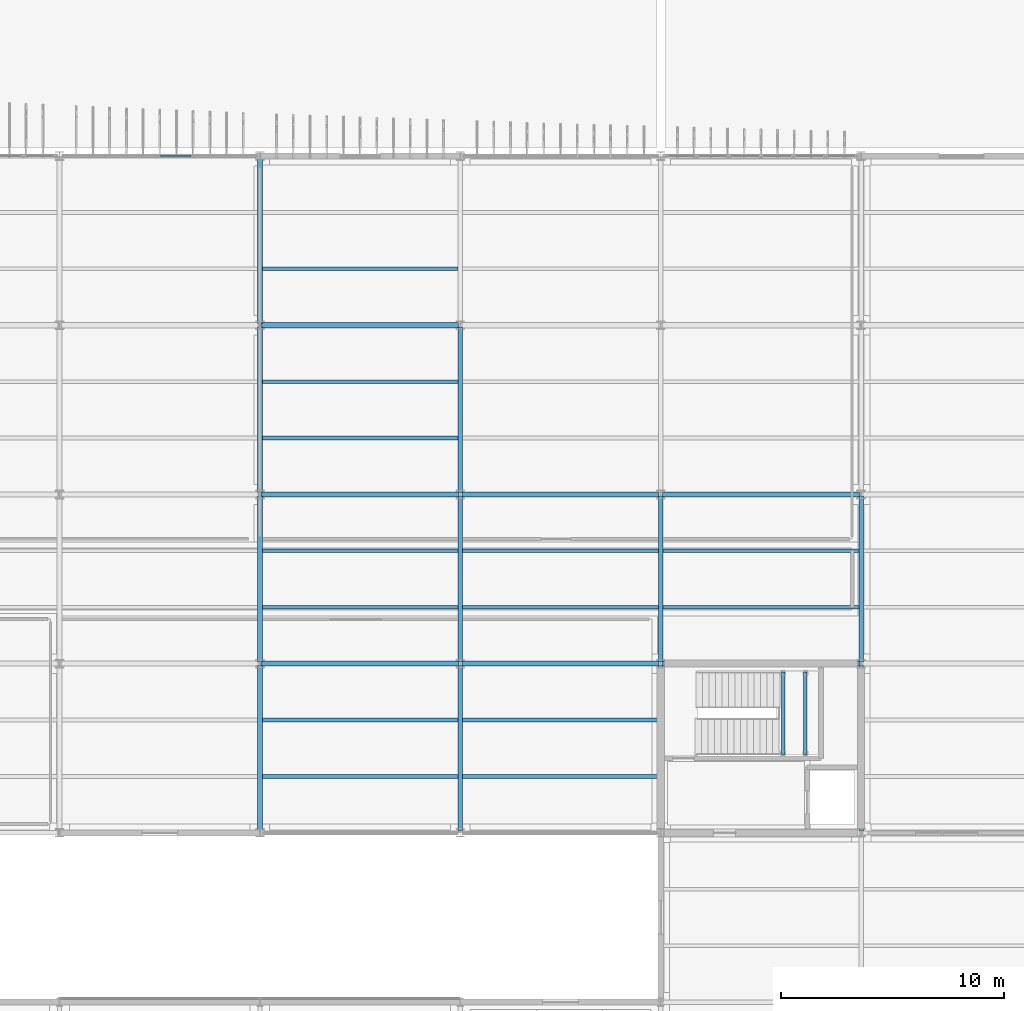
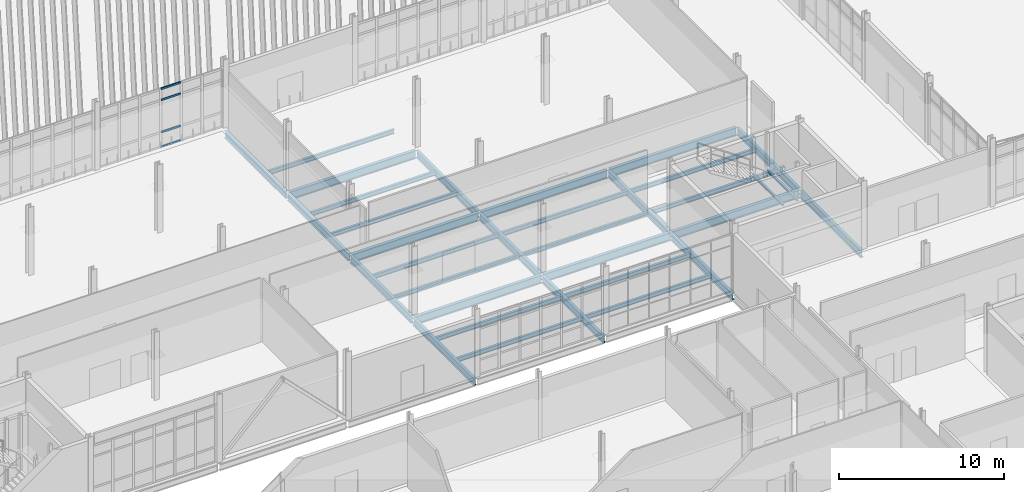
# One storey, part 49 of 161: 33 beams, 4 members, 1 element without a shape of its own.
"""IFC4 building model written with IfcOpenShell, lengths in metres."""

from ifc_helpers import new_model, si_unit, direction, frame, origin, origin_2d, place, context, subcontext, project, spatial, hollow_rectangle, i_section, extrude, material, material_profile, profile_set, type_object, element, aggregate, save


model = new_model("IFC4")

# Units and contexts
model_context = context("Model", 3, precision=1e-05, world=origin(), true_north=direction((0.0, 1.0)))
body_context = subcontext(model_context, "Body", "Model", "MODEL_VIEW")
ifc_project = project(units=[si_unit("LENGTHUNIT", "METRE"), si_unit("AREAUNIT", "SQUARE_METRE"), si_unit("VOLUMEUNIT", "CUBIC_METRE"), si_unit("PLANEANGLEUNIT", "RADIAN"), si_unit("MASSUNIT", "GRAM", prefix="KILO")], contexts=[model_context])

# Site, building, storey
site_placement = place(None, origin())
site = spatial("IfcSite", under=ifc_project, at=site_placement, CompositionType="ELEMENT")
building_placement = place(site_placement, origin())
building = spatial("IfcBuilding", under=site, at=building_placement, Name="Caisbarro Railhouse Central Library", CompositionType="ELEMENT")
storey_placement = place(building_placement, origin())
storey = spatial("IfcBuildingStorey", under=building, at=storey_placement, Name="L00", CompositionType="ELEMENT", Elevation=0.0)

# Beams
ifc_material_1 = material(Name="Steel ASTM A572 Grade 50", Category="steel")
ifc_material_profile_1 = material_profile(ifc_material_1, i_section(OverallWidth=0.22802734375, OverallDepth=0.60791015625, WebThickness=0.01123046875, FlangeThickness=0.017333984375, FilletRadius=0.02197265625, at=origin_2d()), Name="W610X113.0")
ifc_profile_set_1 = profile_set([ifc_material_profile_1], Name="Steel ASTM A572 Grade 50")
beam_type_1 = type_object("IfcBeamType", Name="BM-G04", PredefinedType="BEAM", material=ifc_profile_set_1)
for number, where, z_axis, x_axis, name in (
    (1, (36.080078125, 38.0, -0.553955078125), (1.0, 0.0, 0.0), (0.0, 1.0, 0.0), "G04 beam L00 #255"),
    (2, (45.080078125, 38.0, -0.553955078125), (1.0, 0.0, 0.0), (0.0, 1.0, 0.0), "G04 beam L00 #256"),
    (3, (54.080078125, 38.0, -0.553955078125), (1.0, 0.0, 0.0), (0.0, 1.0, 0.0), "G04 beam L00 #257"),
    (4, (36.080078125, 45.60009765625, -0.553955078125), (1.0, 0.0, 0.0), (0.0, 1.0, 0.0), "G04 beam L00 #263"),
    (5, (45.080078125, 45.60009765625, -0.553955078125), (1.0, 0.0, 0.0), (0.0, 1.0, 0.0), "G04 beam L00 #264"),
    (6, (54.080078125, 45.60009765625, -0.553955078125), (1.0, 0.0, 0.0), (0.0, 1.0, 0.0), "G04 beam L00 #265"),
    (7, (36.080078125, 53.199951171875, -0.553955078125), (1.0, 0.0, 0.0), (0.0, 1.0, 0.0), "G04 beam L00 #271"),
):
    element("IfcBeam", number, at=place(storey_placement, frame(where, z_axis=z_axis, x_axis=x_axis)), inside=storey, type_object=beam_type_1, Name=name, PredefinedType="BEAM", context=body_context, shape_type="SweptSolid", body=[
        extrude(i_section(OverallWidth=0.22802734375, OverallDepth=0.60791015625, WebThickness=0.01123046875, FlangeThickness=0.017333984375, FilletRadius=0.02197265625, at=origin_2d()), origin(), (0.0, 0.0, 1.0), 8.83984375),
    ])
ifc_material_profile_2 = material_profile(ifc_material_1, i_section(OverallWidth=0.208984375, OverallDepth=0.532958984375, WebThickness=0.01025390625, FlangeThickness=0.015625, FilletRadius=0.02001953125, at=origin_2d()), Name="W530X92.0")
ifc_profile_set_2 = profile_set([ifc_material_profile_2], Name="Steel ASTM A572 Grade 50")
beam_type_2 = type_object("IfcBeamType", Name="BM-G06", PredefinedType="BEAM", material=ifc_profile_set_2)
for number, where, z_axis, x_axis, name in (
    (8, (36.0, 30.47998046875, -0.5166015625), (0.0, 1.0, 0.0), (-1.0, 0.0, 0.0), "G06 beam L00 #299"),
    (9, (36.0, 38.080078125, -0.5166015625), (0.0, 1.0, 0.0), (-1.0, 0.0, 0.0), "G06 beam L00 #300"),
):
    element("IfcBeam", number, at=place(storey_placement, frame(where, z_axis=z_axis, x_axis=x_axis)), inside=storey, type_object=beam_type_2, Name=name, PredefinedType="BEAM", context=body_context, shape_type="SweptSolid", body=[
        extrude(i_section(OverallWidth=0.208984375, OverallDepth=0.532958984375, WebThickness=0.01025390625, FlangeThickness=0.015625, FilletRadius=0.02001953125, at=origin_2d()), origin(), (0.0, 0.0, 1.0), 7.43994140625),
    ])
beam_1_placement = place(storey_placement, frame((36.0, 45.679931640625, -0.5166015625), z_axis=(0.0, 1.0, 0.0), x_axis=(-1.0, 0.0, 0.0)))
element("IfcBeam", 10, at=beam_1_placement, inside=storey, type_object=beam_type_2, Name="G06 beam L00 #301", PredefinedType="BEAM", context=body_context, shape_type="SweptSolid", body=[
    extrude(i_section(OverallWidth=0.208984375, OverallDepth=0.532958984375, WebThickness=0.01025390625, FlangeThickness=0.015625, FilletRadius=0.02001953125, at=origin_2d()), origin(), (0.0, 0.0, 1.0), 7.440185546875),
])
for number, where, z_axis, x_axis, name in (
    (11, (36.0, 53.280029296875, -0.5166015625), (0.0, 1.0, 0.0), (-1.0, 0.0, 0.0), "G06 beam L00 #302"),
    (12, (45.0, 30.47998046875, -0.5166015625), (0.0, 1.0, 0.0), (-1.0, 0.0, 0.0), "G06 beam L00 #303"),
    (13, (45.0, 38.080078125, -0.5166015625), (0.0, 1.0, 0.0), (-1.0, 0.0, 0.0), "G06 beam L00 #304"),
):
    element("IfcBeam", number, at=place(storey_placement, frame(where, z_axis=z_axis, x_axis=x_axis)), inside=storey, type_object=beam_type_2, Name=name, PredefinedType="BEAM", context=body_context, shape_type="SweptSolid", body=[
        extrude(i_section(OverallWidth=0.208984375, OverallDepth=0.532958984375, WebThickness=0.01025390625, FlangeThickness=0.015625, FilletRadius=0.02001953125, at=origin_2d()), origin(), (0.0, 0.0, 1.0), 7.43994140625),
    ])
beam_2_placement = place(storey_placement, frame((45.0, 45.679931640625, -0.5166015625), z_axis=(0.0, 1.0, 0.0), x_axis=(-1.0, 0.0, 0.0)))
element("IfcBeam", 14, at=beam_2_placement, inside=storey, type_object=beam_type_2, Name="G06 beam L00 #305", PredefinedType="BEAM", context=body_context, shape_type="SweptSolid", body=[
    extrude(i_section(OverallWidth=0.208984375, OverallDepth=0.532958984375, WebThickness=0.01025390625, FlangeThickness=0.015625, FilletRadius=0.02001953125, at=origin_2d()), origin(), (0.0, 0.0, 1.0), 7.440185546875),
])
for number, where, z_axis, x_axis, name in (
    (15, (54.0, 30.47998046875, -0.5166015625), (0.0, 1.0, 0.0), (-1.0, 0.0, 0.0), "G06 beam L00 #307"),
    (16, (54.0, 38.080078125, -0.5166015625), (0.0, 1.0, 0.0), (-1.0, 0.0, 0.0), "G06 beam L00 #308"),
    (17, (63.0, 30.47998046875, -0.5166015625), (0.0, 1.0, 0.0), (-1.0, 0.0, 0.0), "G06 beam L00 #311"),
    (18, (63.0, 38.080078125, -0.5166015625), (0.0, 1.0, 0.0), (-1.0, 0.0, 0.0), "G06 beam L00 #312"),
):
    element("IfcBeam", number, at=place(storey_placement, frame(where, z_axis=z_axis, x_axis=x_axis)), inside=storey, type_object=beam_type_2, Name=name, PredefinedType="BEAM", context=body_context, shape_type="SweptSolid", body=[
        extrude(i_section(OverallWidth=0.208984375, OverallDepth=0.532958984375, WebThickness=0.01025390625, FlangeThickness=0.015625, FilletRadius=0.02001953125, at=origin_2d()), origin(), (0.0, 0.0, 1.0), 7.43994140625),
    ])
ifc_material_profile_3 = material_profile(ifc_material_1, i_section(OverallWidth=0.1650390625, OverallDepth=0.31005859375, WebThickness=0.005859375, FlangeThickness=0.009765625, FilletRadius=0.011962890625, at=origin_2d()), Name="W310X38.7")
ifc_profile_set_3 = profile_set([ifc_material_profile_3], Name="Steel ASTM A572 Grade 50")
beam_type_3 = type_object("IfcBeamType", Name="BM-J03", PredefinedType="JOIST", material=ifc_profile_set_3)
for number, where, z_axis, x_axis, name in (
    (19, (36.1044921875, 32.933349609375, -0.405029296875), (1.0, 0.0, 0.0), (0.0, 1.0, 0.0), "J03 beam L00 #351"),
    (20, (36.1044921875, 35.466796875, -0.405029296875), (1.0, 0.0, 0.0), (0.0, 1.0, 0.0), "J03 beam L00 #352"),
    (21, (36.1044921875, 40.533203125, -0.405029296875), (1.0, 0.0, 0.0), (0.0, 1.0, 0.0), "J03 beam L00 #353"),
    (22, (36.1044921875, 43.066650390625, -0.405029296875), (1.0, 0.0, 0.0), (0.0, 1.0, 0.0), "J03 beam L00 #354"),
    (23, (36.1044921875, 48.13330078125, -0.405029296875), (1.0, 0.0, 0.0), (0.0, 1.0, 0.0), "J03 beam L00 #355"),
    (24, (36.1044921875, 50.666748046875, -0.405029296875), (1.0, 0.0, 0.0), (0.0, 1.0, 0.0), "J03 beam L00 #356"),
    (25, (36.1044921875, 55.7333984375, -0.405029296875), (1.0, 0.0, 0.0), (0.0, 1.0, 0.0), "J03 beam L00 #357"),
    (26, (45.1044921875, 32.933349609375, -0.405029296875), (1.0, 0.0, 0.0), (0.0, 1.0, 0.0), "J03 beam L00 #359"),
    (27, (45.1044921875, 35.466796875, -0.405029296875), (1.0, 0.0, 0.0), (0.0, 1.0, 0.0), "J03 beam L00 #360"),
    (28, (45.1044921875, 40.533203125, -0.405029296875), (1.0, 0.0, 0.0), (0.0, 1.0, 0.0), "J03 beam L00 #361"),
    (29, (45.1044921875, 43.066650390625, -0.405029296875), (1.0, 0.0, 0.0), (0.0, 1.0, 0.0), "J03 beam L00 #362"),
    (30, (54.1044921875, 40.533203125, -0.405029296875), (1.0, 0.0, 0.0), (0.0, 1.0, 0.0), "J03 beam L00 #367"),
    (31, (54.1044921875, 43.066650390625, -0.405029296875), (1.0, 0.0, 0.0), (0.0, 1.0, 0.0), "J03 beam L00 #368"),
):
    element("IfcBeam", number, at=place(storey_placement, frame(where, z_axis=z_axis, x_axis=x_axis)), inside=storey, type_object=beam_type_3, Name=name, PredefinedType="JOIST", context=body_context, shape_type="SweptSolid", body=[
        extrude(i_section(OverallWidth=0.1650390625, OverallDepth=0.31005859375, WebThickness=0.005859375, FlangeThickness=0.009765625, FilletRadius=0.011962890625, at=origin_2d()), origin(), (0.0, 0.0, 1.0), 8.791015625),
    ])
ifc_material_profile_4 = material_profile(ifc_material_1, i_section(OverallWidth=0.152099609375, OverallDepth=0.152099609375, WebThickness=0.005859375, FlangeThickness=0.006591796875, FilletRadius=0.008056640625, at=origin_2d()), Name="W150X22.5")
ifc_profile_set_4 = profile_set([ifc_material_profile_4], Name="Steel ASTM A572 Grade 50")
beam_type_4 = type_object("IfcBeamType", Name="BM-SL00", PredefinedType="BEAM", material=ifc_profile_set_4)
for number, where, z_axis, x_axis, name in (
    (32, (59.5, 33.929931640625, 2.25390625), (0.0, 1.0, 0.0), (-1.0, 0.0, 0.0), "SL00 Stair Landing Support Beam K4 L00 W"),
    (33, (60.5, 33.929931640625, 2.25390625), (0.0, 1.0, 0.0), (-1.0, 0.0, 0.0), "SL00 Stair Landing Support Beam K4 L00 E"),
):
    element("IfcBeam", number, at=place(storey_placement, frame(where, z_axis=z_axis, x_axis=x_axis)), inside=storey, type_object=beam_type_4, Name=name, PredefinedType="BEAM", context=body_context, shape_type="SweptSolid", body=[
        extrude(i_section(OverallWidth=0.152099609375, OverallDepth=0.152099609375, WebThickness=0.005859375, FlangeThickness=0.006591796875, FilletRadius=0.008056640625, at=origin_2d()), origin(), (0.0, 0.0, 1.0), 3.690185546875),
    ])

# Curtain wall, members
ifc_material_2 = material(Name="Anodised architectural aluminium", Category="aluminium")
curtain_wall_type = type_object("IfcCurtainWallType", Name="CW-CW01", PredefinedType="NOTDEFINED", material=ifc_material_2)
curtain_wall_placement = place(storey_placement, origin())
curtain_wall = element("IfcCurtainWall", 34, at=curtain_wall_placement, inside=storey, type_object=curtain_wall_type, Name="CW01 curtain wall L00 #9", PredefinedType="NOTDEFINED")
ifc_material_profile_5 = material_profile(ifc_material_2, hollow_rectangle(XDim=0.074951171875, YDim=0.139892578125, WallThickness=0.00390625, at=origin_2d()), Name="ALU-TRN-75X140")
ifc_profile_set_5 = profile_set([ifc_material_profile_5], Name="Anodised architectural aluminium")
member_type = type_object("IfcMemberType", Name="CWT-T01", PredefinedType="USERDEFINED", material=ifc_profile_set_5)
member_1_placement = place(storey_placement, frame((31.53759765625, 60.800048828125, 0.03759765625), z_axis=(1.0, 0.0, 0.0), x_axis=(0.0, 1.0, 0.0)))
member_1 = element("IfcMember", 35, at=member_1_placement, type_object=member_type, Name="CW01 transom 4.1", ObjectType="TRANSOM", PredefinedType="USERDEFINED", context=body_context, shape_type="SweptSolid", body=[
    extrude(hollow_rectangle(XDim=0.074951171875, YDim=0.139892578125, WallThickness=0.00390625, at=origin_2d()), origin(), (0.0, 0.0, 1.0), 1.37158203125),
])
member_2_placement = place(storey_placement, frame((31.53759765625, 60.800048828125, 1.1201171875), z_axis=(1.0, 0.0, 0.0), x_axis=(0.0, 1.0, 0.0)))
member_2 = element("IfcMember", 36, at=member_2_placement, type_object=member_type, Name="CW01 transom 4.2", ObjectType="TRANSOM", PredefinedType="USERDEFINED", context=body_context, shape_type="SweptSolid", body=[
    extrude(hollow_rectangle(XDim=0.074951171875, YDim=0.139892578125, WallThickness=0.00390625, at=origin_2d()), origin(), (0.0, 0.0, 1.0), 1.37158203125),
])
member_3_placement = place(storey_placement, frame((31.53759765625, 60.800048828125, 3.5), z_axis=(1.0, 0.0, 0.0), x_axis=(0.0, 1.0, 0.0)))
member_3 = element("IfcMember", 37, at=member_3_placement, type_object=member_type, Name="CW01 transom 4.3", ObjectType="TRANSOM", PredefinedType="USERDEFINED", context=body_context, shape_type="SweptSolid", body=[
    extrude(hollow_rectangle(XDim=0.074951171875, YDim=0.139892578125, WallThickness=0.00390625, at=origin_2d()), origin(), (0.0, 0.0, 1.0), 1.37158203125),
])
member_4_placement = place(storey_placement, frame((31.53759765625, 60.800048828125, 4.3125), z_axis=(1.0, 0.0, 0.0), x_axis=(0.0, 1.0, 0.0)))
member_4 = element("IfcMember", 38, at=member_4_placement, type_object=member_type, Name="CW01 transom 4.4", ObjectType="TRANSOM", PredefinedType="USERDEFINED", context=body_context, shape_type="SweptSolid", body=[
    extrude(hollow_rectangle(XDim=0.074951171875, YDim=0.139892578125, WallThickness=0.00390625, at=origin_2d()), origin(), (0.0, 0.0, 1.0), 1.37158203125),
])
aggregate(curtain_wall, [member_1, member_2, member_3, member_4])

save(model, "model.ifc")
